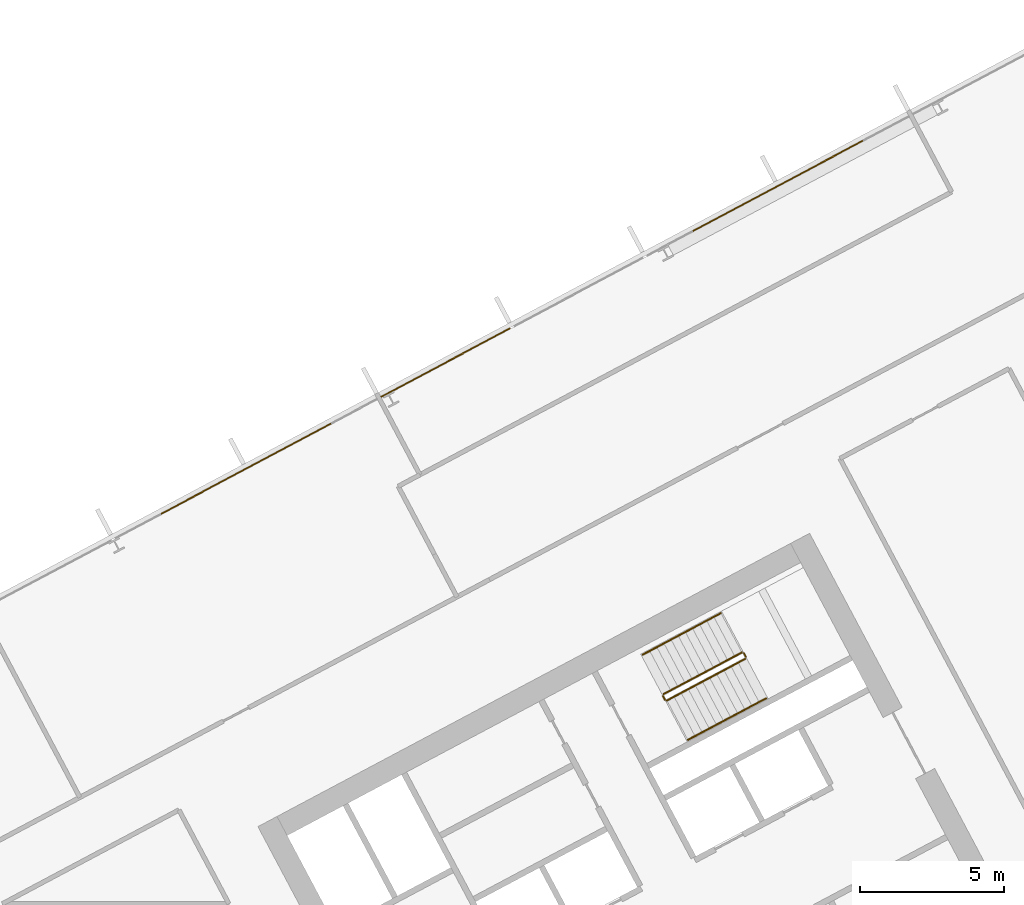
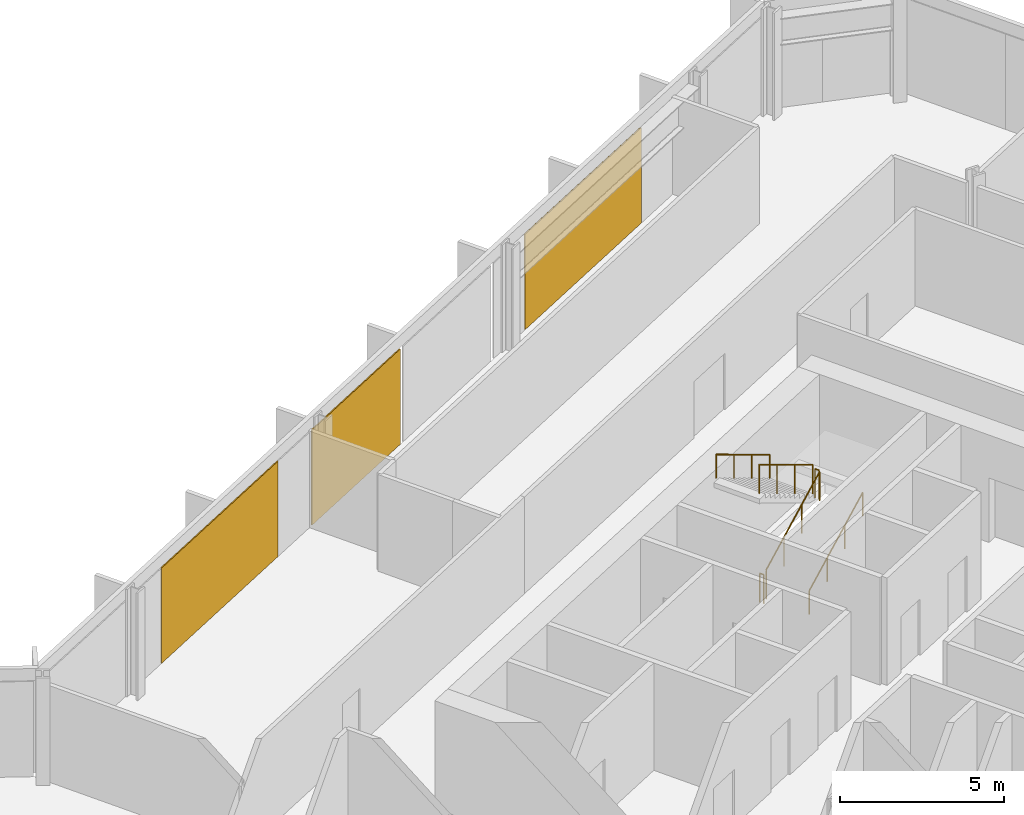
# One storey, part 27 of 28: 6 railings, 3 coverings, 1 element without a shape of its own.
"""IFC4 building model written with IfcOpenShell, lengths in metres."""

from ifc_helpers import new_model, si_unit, direction, frame, origin, origin_2d, place, context, subcontext, project, spatial, polyline, rectangle, outline, extrude, material, layer, layer_set, type_object, element, aggregate, save


model = new_model("IFC4")

# Units and contexts
model_context = context("Model", 3, precision=1e-05, world=origin(), true_north=direction((0.0, 1.0)))
body_context = subcontext(model_context, "Body", "Model", "MODEL_VIEW")
ifc_project = project(units=[si_unit("LENGTHUNIT", "METRE"), si_unit("AREAUNIT", "SQUARE_METRE"), si_unit("VOLUMEUNIT", "CUBIC_METRE"), si_unit("PLANEANGLEUNIT", "RADIAN"), si_unit("MASSUNIT", "GRAM", prefix="KILO")], contexts=[model_context])

# Site, building, storey
site_placement = place(None, origin())
site = spatial("IfcSite", under=ifc_project, at=site_placement, CompositionType="ELEMENT")
building_placement = place(site_placement, origin())
building = spatial("IfcBuilding", under=site, at=building_placement, Name="Cormorant Relay Tower", CompositionType="ELEMENT")
storey_placement = place(building_placement, frame((0.0, 0.0, 174.199951171875)))
storey = spatial("IfcBuildingStorey", under=building, at=storey_placement, Name="L37", CompositionType="ELEMENT", Elevation=174.199951171875)

# Curtain wall, coverings
ifc_material_1 = material(Name="Aluminium 6063-T6 anodised bronze", Category="aluminium")
ifc_layer_1 = layer(ifc_material_1, 0.199951171875)
ifc_layer_set_1 = layer_set([ifc_layer_1], Name="CW1 unitised bronze curtain wall with vertical fins")
curtain_wall_type = type_object("IfcCurtainWallType", Name="CW1 unitised bronze curtain wall with vertical fins", PredefinedType="NOTDEFINED", material=ifc_layer_set_1)
curtain_wall_placement = place(storey_placement, origin())
curtain_wall = element("IfcCurtainWall", 1, at=curtain_wall_placement, inside=storey, type_object=curtain_wall_type, Name="CW1 curtain wall 8", PredefinedType="NOTDEFINED")
ifc_material_2 = material(Name="Pale bronze anodised aluminium insulated panel", Category="aluminium")
ifc_layer_2 = layer(ifc_material_2, 0.0400390625)
ifc_layer_set_2 = layer_set([ifc_layer_2], Name="CW1 pale bronze insulated panel 40")
covering_type = type_object("IfcCoveringType", Name="CW1 pale bronze insulated panel 40", PredefinedType="CLADDING", material=ifc_layer_set_2)
covering_1_placement = place(storey_placement, frame((27.693603515625, 38.531494140625, 0.0), z_axis=(0.0, 0.0, 1.0), x_axis=(-0.882947592859, -0.469471562786, 0.0)))
covering_1 = element("IfcCovering", 2, at=covering_1_placement, type_object=covering_type, Name="CW1 panel S02", PredefinedType="CLADDING", context=body_context, shape_type="SweptSolid", body=[
    extrude(rectangle(XDim=6.70849609375, YDim=0.0400390625, at=origin_2d()), origin(), (0.0, 0.0, 1.0), 3.550048828125),
])
covering_2_placement = place(storey_placement, frame((16.150634765625, 32.39404296875, 0.0), z_axis=(0.0, 0.0, 1.0), x_axis=(-0.882947592859, -0.469471562786, 0.0)))
covering_2 = element("IfcCovering", 3, at=covering_2_placement, type_object=covering_type, Name="CW1 panel S05", PredefinedType="CLADDING", context=body_context, shape_type="SweptSolid", body=[
    extrude(rectangle(XDim=5.079345703125, YDim=0.0400390625, at=origin_2d()), origin(), (0.0, 0.0, 1.0), 3.550048828125),
])
covering_3_placement = place(storey_placement, frame((9.224853515625, 28.711669921875, 0.0), z_axis=(0.0, 0.0, 1.0), x_axis=(-0.882947592859, -0.469471562786, 0.0)))
covering_3 = element("IfcCovering", 4, at=covering_3_placement, type_object=covering_type, Name="CW1 panel S07", PredefinedType="CLADDING", context=body_context, shape_type="SweptSolid", body=[
    extrude(rectangle(XDim=6.70849609375, YDim=0.0400390625, at=origin_2d()), origin(), (0.0, 0.0, 1.0), 3.550048828125),
])
aggregate(curtain_wall, [covering_1, covering_2, covering_3])

# Railings
ifc_material_3 = material(Name="Steel ASTM A572 Grade 50 (Fy 345 MPa)", Category="steel")
railing_type_1 = type_object("IfcRailingType", Name="Stair guard 1100", PredefinedType="GUARDRAIL", material=ifc_material_3)
railing_1_placement = place(storey_placement, frame((23.8408203125, 20.6611328125, 0.166748046875)))
element("IfcRailing", 5, at=railing_1_placement, inside=storey, type_object=railing_type_1, Name="L37 B2 stair guard 1", PredefinedType="GUARDRAIL", context=body_context, shape_type="SweptSolid", body=[
    extrude(outline(polyline([(0.022216796875, 0.00927734375), (0.00927734375, 0.022216796875), (-0.00927734375, 0.022216796875), (-0.022216796875, 0.00927734375), (-0.022216796875, -0.00927734375), (-0.00927734375, -0.022216796875), (0.00927734375, -0.022216796875), (0.022216796875, -0.00927734375), (0.022216796875, 0.00927734375)])), frame((0.0, 0.0, 1.076171875), z_axis=(0.758734504837, 0.403377838015, 0.511476559549), x_axis=(-0.469427602063, 0.882970965786, 0.0)), (0.0, 0.0, 1.0), 3.584228515625),
    extrude(outline(polyline([(0.019287109375, 0.008056640625), (0.008056640625, 0.019287109375), (-0.008056640625, 0.019287109375), (-0.019287109375, 0.008056640625), (-0.019287109375, -0.008056640625), (-0.008056640625, -0.019287109375), (0.008056640625, -0.019287109375), (0.019287109375, -0.008056640625), (0.019287109375, 0.008056640625)])), origin(), (0.0, 0.0, 1.0), 1.052001953125),
    extrude(outline(polyline([(0.019287109375, 0.008056640625), (0.008056640625, 0.019287109375), (-0.008056640625, 0.019287109375), (-0.019287109375, 0.008056640625), (-0.019287109375, -0.008056640625), (-0.008056640625, -0.019287109375), (0.008056640625, -0.019287109375), (0.019287109375, -0.008056640625), (0.019287109375, 0.008056640625)])), frame((0.906494140625, 0.48193359375, 0.611083984375)), (0.0, 0.0, 1.0), 1.052001953125),
    extrude(outline(polyline([(0.019287109375, 0.008056640625), (0.008056640625, 0.019287109375), (-0.008056640625, 0.019287109375), (-0.019287109375, 0.008056640625), (-0.019287109375, -0.008056640625), (-0.008056640625, -0.019287109375), (0.008056640625, -0.019287109375), (0.019287109375, -0.008056640625), (0.019287109375, 0.008056640625)])), frame((1.81298828125, 0.9638671875, 1.22216796875)), (0.0, 0.0, 1.0), 1.052001953125),
    extrude(outline(polyline([(0.019287109375, 0.008056640625), (0.008056640625, 0.019287109375), (-0.008056640625, 0.019287109375), (-0.019287109375, 0.008056640625), (-0.019287109375, -0.008056640625), (-0.008056640625, -0.019287109375), (0.008056640625, -0.019287109375), (0.019287109375, -0.008056640625), (0.019287109375, 0.008056640625)])), frame((2.719482421875, 1.44580078125, 1.833251953125)), (0.0, 0.0, 1.0), 1.052001953125),
])
railing_2_placement = place(storey_placement, frame((26.5810546875, 22.174560546875, 2.0)))
element("IfcRailing", 6, at=railing_2_placement, inside=storey, type_object=railing_type_1, Name="L37 B2 stair guard 2", PredefinedType="GUARDRAIL", context=body_context, shape_type="SweptSolid", body=[
    extrude(outline(polyline([(0.022216796875, 0.00927734375), (0.00927734375, 0.022216796875), (-0.00927734375, 0.022216796875), (-0.022216796875, 0.00927734375), (-0.022216796875, -0.00927734375), (-0.00927734375, -0.022216796875), (0.00927734375, -0.022216796875), (0.022216796875, -0.00927734375), (0.022216796875, 0.00927734375)])), frame((0.0, 0.0, 1.076171875), z_axis=(-0.469828648786, 0.882757634224, 0.0), x_axis=(-0.882757634224, -0.469828648786, 0.0)), (0.0, 0.0, 1.0), 0.150146484375),
    extrude(outline(polyline([(0.019287109375, 0.008056640625), (0.008056640625, 0.019287109375), (-0.008056640625, 0.019287109375), (-0.019287109375, 0.008056640625), (-0.019287109375, -0.008056640625), (-0.008056640625, -0.019287109375), (0.008056640625, -0.019287109375), (0.019287109375, -0.008056640625), (0.019287109375, 0.008056640625)])), origin(), (0.0, 0.0, 1.0), 1.052001953125),
    extrude(outline(polyline([(0.019287109375, 0.008056640625), (0.008056640625, 0.019287109375), (-0.008056640625, 0.019287109375), (-0.019287109375, 0.008056640625), (-0.019287109375, -0.008056640625), (-0.008056640625, -0.019287109375), (0.008056640625, -0.019287109375), (0.019287109375, -0.008056640625), (0.019287109375, 0.008056640625)])), frame((-0.070556640625, 0.132568359375, 0.0)), (0.0, 0.0, 1.0), 1.052001953125),
])
railing_3_placement = place(storey_placement, frame((26.44287109375, 22.32763671875, 2.166748046875)))
element("IfcRailing", 7, at=railing_3_placement, inside=storey, type_object=railing_type_1, Name="L37 B2 stair guard 3", PredefinedType="GUARDRAIL", context=body_context, shape_type="SweptSolid", body=[
    extrude(outline(polyline([(0.022216796875, 0.00927734375), (0.00927734375, 0.022216796875), (-0.00927734375, 0.022216796875), (-0.022216796875, 0.00927734375), (-0.022216796875, -0.00927734375), (-0.00927734375, -0.022216796875), (0.00927734375, -0.022216796875), (0.022216796875, -0.00927734375), (0.022216796875, 0.00927734375)])), frame((0.0, 0.0, 1.076171875), z_axis=(-0.758734504837, -0.403377838015, 0.511476559549), x_axis=(0.469427602063, -0.882970965786, 0.0)), (0.0, 0.0, 1.0), 3.584228515625),
    extrude(outline(polyline([(0.019287109375, 0.008056640625), (0.008056640625, 0.019287109375), (-0.008056640625, 0.019287109375), (-0.019287109375, 0.008056640625), (-0.019287109375, -0.008056640625), (-0.008056640625, -0.019287109375), (0.008056640625, -0.019287109375), (0.019287109375, -0.008056640625), (0.019287109375, 0.008056640625)])), origin(), (0.0, 0.0, 1.0), 1.052001953125),
    extrude(outline(polyline([(0.019287109375, 0.008056640625), (0.008056640625, 0.019287109375), (-0.008056640625, 0.019287109375), (-0.019287109375, 0.008056640625), (-0.019287109375, -0.008056640625), (-0.008056640625, -0.019287109375), (0.008056640625, -0.019287109375), (0.019287109375, -0.008056640625), (0.019287109375, 0.008056640625)])), frame((-0.906494140625, -0.48193359375, 0.611083984375)), (0.0, 0.0, 1.0), 1.052001953125),
    extrude(outline(polyline([(0.019287109375, 0.008056640625), (0.008056640625, 0.019287109375), (-0.008056640625, 0.019287109375), (-0.019287109375, 0.008056640625), (-0.019287109375, -0.008056640625), (-0.008056640625, -0.019287109375), (0.008056640625, -0.019287109375), (0.019287109375, -0.008056640625), (0.019287109375, 0.008056640625)])), frame((-1.81298828125, -0.9638671875, 1.22216796875)), (0.0, 0.0, 1.0), 1.052001953125),
    extrude(outline(polyline([(0.019287109375, 0.008056640625), (0.008056640625, 0.019287109375), (-0.008056640625, 0.019287109375), (-0.019287109375, 0.008056640625), (-0.019287109375, -0.008056640625), (-0.008056640625, -0.019287109375), (0.008056640625, -0.019287109375), (0.019287109375, -0.008056640625), (0.019287109375, 0.008056640625)])), frame((-2.719482421875, -1.44580078125, 1.833251953125)), (0.0, 0.0, 1.0), 1.052001953125),
])
railing_4_placement = place(storey_placement, frame((23.773193359375, 20.681640625, 0.0)))
element("IfcRailing", 8, at=railing_4_placement, inside=storey, type_object=railing_type_1, Name="L37 B2 stair guard 4", PredefinedType="GUARDRAIL", context=body_context, shape_type="SweptSolid", body=[
    extrude(outline(polyline([(0.022216796875, 0.00927734375), (0.00927734375, 0.022216796875), (-0.00927734375, 0.022216796875), (-0.022216796875, 0.00927734375), (-0.022216796875, -0.00927734375), (-0.00927734375, -0.022216796875), (0.00927734375, -0.022216796875), (0.022216796875, -0.00927734375), (0.022216796875, 0.00927734375)])), frame((0.0, 0.0, 1.076171875), z_axis=(-0.46856034887, 0.8834314911, 0.0), x_axis=(-0.8834314911, -0.46856034887, 0.0)), (0.0, 0.0, 1.0), 0.150146484375),
    extrude(outline(polyline([(0.019287109375, 0.008056640625), (0.008056640625, 0.019287109375), (-0.008056640625, 0.019287109375), (-0.019287109375, 0.008056640625), (-0.019287109375, -0.008056640625), (-0.008056640625, -0.019287109375), (0.008056640625, -0.019287109375), (0.019287109375, -0.008056640625), (0.019287109375, 0.008056640625)])), origin(), (0.0, 0.0, 1.0), 1.052001953125),
    extrude(outline(polyline([(0.019287109375, 0.008056640625), (0.008056640625, 0.019287109375), (-0.008056640625, 0.019287109375), (-0.019287109375, 0.008056640625), (-0.019287109375, -0.008056640625), (-0.008056640625, -0.019287109375), (0.008056640625, -0.019287109375), (0.019287109375, -0.008056640625), (0.019287109375, 0.008056640625)])), frame((-0.0703125, 0.132568359375, 0.0)), (0.0, 0.0, 1.0), 1.052001953125),
])
ifc_material_4 = material(Name="Steel ASTM A572 Grade 50 (Fy 345 MPa)", Category="steel")
railing_type_2 = type_object("IfcRailingType", Name="Stair handrail 900", PredefinedType="HANDRAIL", material=ifc_material_4)
railing_5_placement = place(storey_placement, frame((24.568603515625, 19.29248046875, 0.166748046875)))
element("IfcRailing", 9, at=railing_5_placement, inside=storey, type_object=railing_type_2, Name="L37 B2 stair handrail 1", PredefinedType="HANDRAIL", context=body_context, shape_type="SweptSolid", body=[
    extrude(outline(polyline([(0.022216796875, 0.00927734375), (0.00927734375, 0.022216796875), (-0.00927734375, 0.022216796875), (-0.022216796875, 0.00927734375), (-0.022216796875, -0.00927734375), (-0.00927734375, -0.022216796875), (0.00927734375, -0.022216796875), (0.022216796875, -0.00927734375), (0.022216796875, 0.00927734375)])), frame((0.0, 0.0, 0.8759765625), z_axis=(0.758713656843, 0.403434867536, 0.511462505542), x_axis=(-0.469489399267, 0.882938108802, 0.0)), (0.0, 0.0, 1.0), 3.584228515625),
    extrude(outline(polyline([(0.019287109375, 0.008056640625), (0.008056640625, 0.019287109375), (-0.008056640625, 0.019287109375), (-0.019287109375, 0.008056640625), (-0.019287109375, -0.008056640625), (-0.008056640625, -0.019287109375), (0.008056640625, -0.019287109375), (0.019287109375, -0.008056640625), (0.019287109375, 0.008056640625)])), origin(), (0.0, 0.0, 1.0), 0.851806640625),
    extrude(outline(polyline([(0.019287109375, 0.008056640625), (0.008056640625, 0.019287109375), (-0.008056640625, 0.019287109375), (-0.019287109375, 0.008056640625), (-0.019287109375, -0.008056640625), (-0.008056640625, -0.019287109375), (0.008056640625, -0.019287109375), (0.019287109375, -0.008056640625), (0.019287109375, 0.008056640625)])), frame((0.906494140625, 0.48193359375, 0.611083984375)), (0.0, 0.0, 1.0), 0.851806640625),
    extrude(outline(polyline([(0.019287109375, 0.008056640625), (0.008056640625, 0.019287109375), (-0.008056640625, 0.019287109375), (-0.019287109375, 0.008056640625), (-0.019287109375, -0.008056640625), (-0.008056640625, -0.019287109375), (0.008056640625, -0.019287109375), (0.019287109375, -0.008056640625), (0.019287109375, 0.008056640625)])), frame((1.81298828125, 0.964111328125, 1.22216796875)), (0.0, 0.0, 1.0), 0.851806640625),
    extrude(outline(polyline([(0.019287109375, 0.008056640625), (0.008056640625, 0.019287109375), (-0.008056640625, 0.019287109375), (-0.019287109375, 0.008056640625), (-0.019287109375, -0.008056640625), (-0.008056640625, -0.019287109375), (0.008056640625, -0.019287109375), (0.019287109375, -0.008056640625), (0.019287109375, 0.008056640625)])), frame((2.719482421875, 1.446044921875, 1.833251953125)), (0.0, 0.0, 1.0), 0.851806640625),
])
railing_6_placement = place(storey_placement, frame((25.71533203125, 23.6962890625, 2.166748046875)))
element("IfcRailing", 10, at=railing_6_placement, inside=storey, type_object=railing_type_2, Name="L37 B2 stair handrail 2", PredefinedType="HANDRAIL", context=body_context, shape_type="SweptSolid", body=[
    extrude(outline(polyline([(0.022216796875, 0.00927734375), (0.00927734375, 0.022216796875), (-0.00927734375, 0.022216796875), (-0.022216796875, 0.00927734375), (-0.022216796875, -0.00927734375), (-0.00927734375, -0.022216796875), (0.00927734375, -0.022216796875), (0.022216796875, -0.00927734375), (0.022216796875, 0.00927734375)])), frame((0.0, 0.0, 0.8759765625), z_axis=(-0.758713656843, -0.403434867536, 0.511462505542), x_axis=(0.469489399267, -0.882938108802, 0.0)), (0.0, 0.0, 1.0), 3.584228515625),
    extrude(outline(polyline([(0.019287109375, 0.008056640625), (0.008056640625, 0.019287109375), (-0.008056640625, 0.019287109375), (-0.019287109375, 0.008056640625), (-0.019287109375, -0.008056640625), (-0.008056640625, -0.019287109375), (0.008056640625, -0.019287109375), (0.019287109375, -0.008056640625), (0.019287109375, 0.008056640625)])), origin(), (0.0, 0.0, 1.0), 0.851806640625),
    extrude(outline(polyline([(0.019287109375, 0.008056640625), (0.008056640625, 0.019287109375), (-0.008056640625, 0.019287109375), (-0.019287109375, 0.008056640625), (-0.019287109375, -0.008056640625), (-0.008056640625, -0.019287109375), (0.008056640625, -0.019287109375), (0.019287109375, -0.008056640625), (0.019287109375, 0.008056640625)])), frame((-0.906494140625, -0.48193359375, 0.611083984375)), (0.0, 0.0, 1.0), 0.851806640625),
    extrude(outline(polyline([(0.019287109375, 0.008056640625), (0.008056640625, 0.019287109375), (-0.008056640625, 0.019287109375), (-0.019287109375, 0.008056640625), (-0.019287109375, -0.008056640625), (-0.008056640625, -0.019287109375), (0.008056640625, -0.019287109375), (0.019287109375, -0.008056640625), (0.019287109375, 0.008056640625)])), frame((-1.81298828125, -0.964111328125, 1.22216796875)), (0.0, 0.0, 1.0), 0.851806640625),
    extrude(outline(polyline([(0.019287109375, 0.008056640625), (0.008056640625, 0.019287109375), (-0.008056640625, 0.019287109375), (-0.019287109375, 0.008056640625), (-0.019287109375, -0.008056640625), (-0.008056640625, -0.019287109375), (0.008056640625, -0.019287109375), (0.019287109375, -0.008056640625), (0.019287109375, 0.008056640625)])), frame((-2.719482421875, -1.446044921875, 1.833251953125)), (0.0, 0.0, 1.0), 0.851806640625),
])

save(model, "model.ifc")
